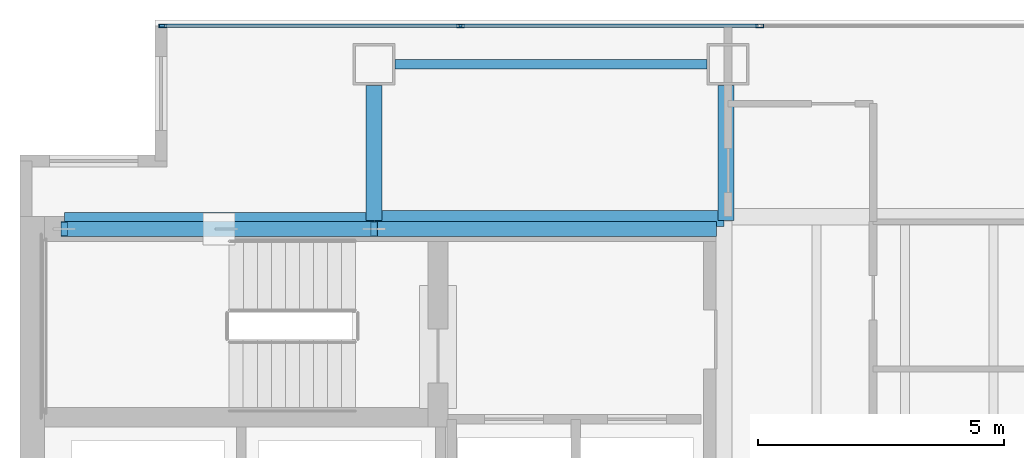
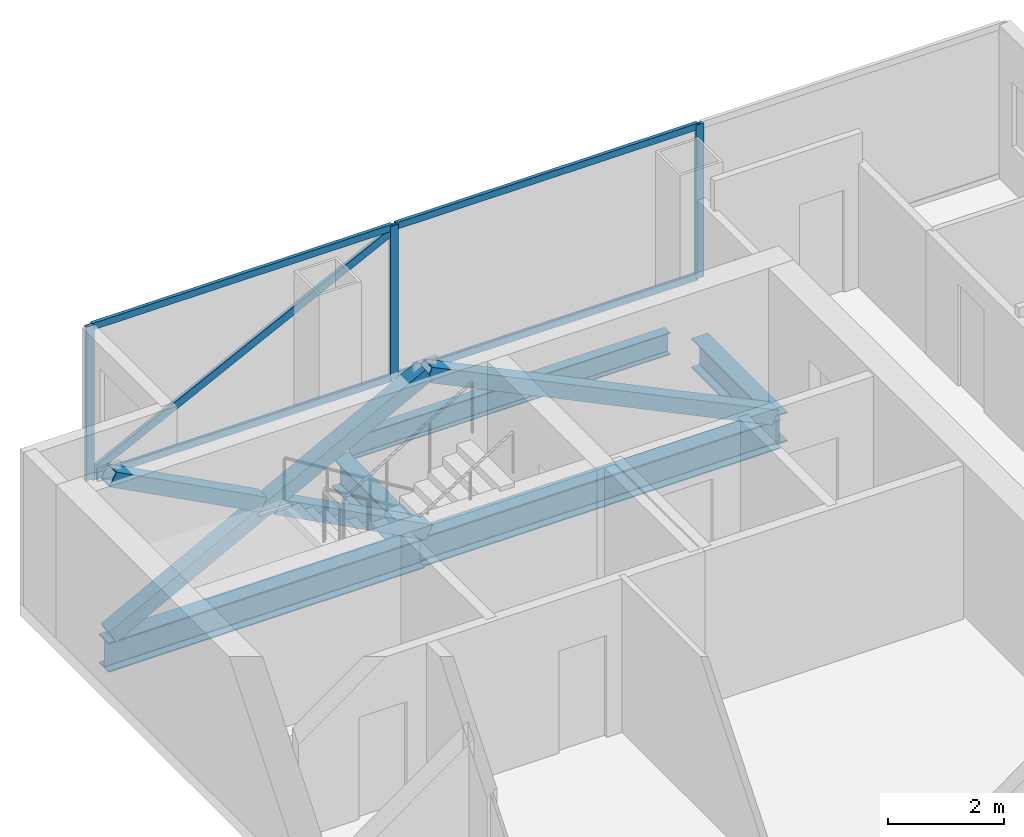
# One storey, part 17 of 23: 12 members, 5 beams, 1 element without a shape of its own.
"""IFC4 building model written with IfcOpenShell, lengths in metres."""

from ifc_helpers import new_model, si_unit, direction, frame, origin, origin_2d, place, context, subcontext, project, spatial, hollow_rectangle, i_section, extrude, material, material_profile, profile_set, type_object, element, aggregate, save


model = new_model("IFC4")

# Units and contexts
model_context = context("Model", 3, precision=1e-05, world=origin(), true_north=direction((0.0, 1.0)))
body_context = subcontext(model_context, "Body", "Model", "MODEL_VIEW")
ifc_project = project(units=[si_unit("LENGTHUNIT", "METRE"), si_unit("AREAUNIT", "SQUARE_METRE"), si_unit("VOLUMEUNIT", "CUBIC_METRE"), si_unit("PLANEANGLEUNIT", "RADIAN"), si_unit("MASSUNIT", "GRAM", prefix="KILO")], contexts=[model_context])

# Site, building, storey
site_placement = place(None, origin())
site = spatial("IfcSite", under=ifc_project, at=site_placement, CompositionType="ELEMENT")
building_placement = place(site_placement, origin())
building = spatial("IfcBuilding", under=site, at=building_placement, Name="Cobrela Telecom Tower", CompositionType="ELEMENT")
storey_placement = place(building_placement, frame((0.0, 0.0, 183.75)))
storey = spatial("IfcBuildingStorey", under=building, at=storey_placement, Name="L46", CompositionType="ELEMENT", Elevation=183.75)

# Beams
ifc_material_1 = material(Name="Steel ASTM A992 Grade 50", Category="steel")
ifc_material_profile_1 = material_profile(ifc_material_1, i_section(OverallWidth=0.327880859375, OverallDepth=0.6220703125, WebThickness=0.015380859375, FlangeThickness=0.0244140625, FilletRadius=0.014892578125, at=origin_2d()), Name="W24X131")
ifc_profile_set_1 = profile_set([ifc_material_profile_1], Name="Steel ASTM A992 Grade 50")
beam_type_1 = type_object("IfcBeamType", Name="BM-GIRD-06", PredefinedType="USERDEFINED", material=ifc_profile_set_1)
beam_1_placement = place(storey_placement, frame((0.905029296875, 35.919921875, -0.571044921875), z_axis=(1.0, 0.0, 0.0), x_axis=(0.0, 1.0, 0.0)))
element("IfcBeam", 1, at=beam_1_placement, inside=storey, type_object=beam_type_1, Name="L46 Primary Girder X20", ObjectType="GIRDER", PredefinedType="USERDEFINED", context=body_context, shape_type="SweptSolid", body=[
    extrude(i_section(OverallWidth=0.327880859375, OverallDepth=0.6220703125, WebThickness=0.015380859375, FlangeThickness=0.0244140625, FilletRadius=0.014892578125, at=origin_2d()), origin(), (0.0, 0.0, 1.0), 6.2900390625),
])
beam_2_placement = place(storey_placement, frame((7.205078125, 35.9599609375, -0.571044921875), z_axis=(1.0, 0.0, 0.0), x_axis=(0.0, 1.0, 0.0)))
element("IfcBeam", 2, at=beam_2_placement, inside=storey, type_object=beam_type_1, Name="L46 Primary Girder X21", ObjectType="GIRDER", PredefinedType="USERDEFINED", context=body_context, shape_type="SweptSolid", body=[
    extrude(i_section(OverallWidth=0.327880859375, OverallDepth=0.6220703125, WebThickness=0.015380859375, FlangeThickness=0.0244140625, FilletRadius=0.014892578125, at=origin_2d()), origin(), (0.0, 0.0, 1.0), 7.10986328125),
])
for number, where, z_axis, x_axis, name in (
    (3, (7.199951171875, 35.925048828125, -0.571044921875), (0.0, 1.0, 0.0), (-1.0, 0.0, 0.0), "L46 Primary Girder Y25"),
    (4, (14.360107421875, 35.925048828125, -0.571044921875), (0.0, 1.0, 0.0), (-1.0, 0.0, 0.0), "L46 Primary Girder Y31"),
):
    element("IfcBeam", number, at=place(storey_placement, frame(where, z_axis=z_axis, x_axis=x_axis)), inside=storey, type_object=beam_type_1, Name=name, ObjectType="GIRDER", PredefinedType="USERDEFINED", context=body_context, shape_type="SweptSolid", body=[
        extrude(i_section(OverallWidth=0.327880859375, OverallDepth=0.6220703125, WebThickness=0.015380859375, FlangeThickness=0.0244140625, FilletRadius=0.014892578125, at=origin_2d()), origin(), (0.0, 0.0, 1.0), 2.744873046875),
    ])
ifc_material_profile_2 = material_profile(ifc_material_1, i_section(OverallWidth=0.193115234375, OverallDepth=0.467041015625, WebThickness=0.011474609375, FlangeThickness=0.01904296875, FilletRadius=0.012939453125, at=origin_2d()), Name="W18X65")
ifc_profile_set_2 = profile_set([ifc_material_profile_2], Name="Steel ASTM A992 Grade 50")
beam_type_2 = type_object("IfcBeamType", Name="BM-SPAND-05", PredefinedType="SPANDREL", material=ifc_profile_set_2)
beam_3_placement = place(storey_placement, frame((7.6298828125, 39.10009765625, -0.493408203125), z_axis=(1.0, 0.0, 0.0), x_axis=(0.0, 1.0, 0.0)))
element("IfcBeam", 5, at=beam_3_placement, inside=storey, type_object=beam_type_2, Name="L46 Perimeter Spandrel X23", PredefinedType="SPANDREL", context=body_context, shape_type="SweptSolid", body=[
    extrude(i_section(OverallWidth=0.193115234375, OverallDepth=0.467041015625, WebThickness=0.011474609375, FlangeThickness=0.01904296875, FilletRadius=0.012939453125, at=origin_2d()), origin(), (0.0, 0.0, 1.0), 6.340087890625),
])

# Curtain wall, members
ifc_material_2 = material(Name="Anodized Bronze Aluminium 6063-T6", Category="aluminium")
curtain_wall_type = type_object("IfcCurtainWallType", Name="CW-SYS-OFF-LO", PredefinedType="USERDEFINED", material=ifc_material_2)
curtain_wall_placement = place(storey_placement, origin())
curtain_wall = element("IfcCurtainWall", 6, at=curtain_wall_placement, inside=storey, type_object=curtain_wall_type, Name="L46 Unitised Bronze Curtain Wall 07", ObjectType="UNITISED CURTAIN WALL", PredefinedType="USERDEFINED")
ifc_material_profile_3 = material_profile(ifc_material_2, hollow_rectangle(XDim=0.070068359375, YDim=0.159912109375, WallThickness=0.00390625, at=origin_2d()), Name="ALU 70x160x4")
ifc_profile_set_3 = profile_set([ifc_material_profile_3], Name="Anodized Bronze Aluminium 6063-T6")
member_type_1 = type_object("IfcMemberType", Name="CW-SYS-OFF-LO-MUL", PredefinedType="MULLION", material=ifc_profile_set_3)
member_1_placement = place(storey_placement, frame((2.905029296875, 39.8798828125, 0.0), z_axis=(0.0, 0.0, 1.0), x_axis=(0.0, 1.0, 0.0)))
member_1 = element("IfcMember", 7, at=member_1_placement, type_object=member_type_1, Name="CW-OFF-LO mullion 1", PredefinedType="MULLION", context=body_context, shape_type="SweptSolid", body=[
    extrude(hollow_rectangle(XDim=0.070068359375, YDim=0.159912109375, WallThickness=0.00390625, at=origin_2d()), origin(), (0.0, 0.0, 1.0), 3.239990234375),
])
member_2_placement = place(storey_placement, frame((8.956787109375, 39.8798828125, 0.0), z_axis=(0.0, 0.0, 1.0), x_axis=(0.0, 1.0, 0.0)))
member_2 = element("IfcMember", 8, at=member_2_placement, type_object=member_type_1, Name="CW-OFF-LO mullion 2", PredefinedType="MULLION", context=body_context, shape_type="SweptSolid", body=[
    extrude(hollow_rectangle(XDim=0.070068359375, YDim=0.159912109375, WallThickness=0.00390625, at=origin_2d()), origin(), (0.0, 0.0, 1.0), 3.239990234375),
])
member_3_placement = place(storey_placement, frame((15.043212890625, 39.8798828125, 0.0), z_axis=(0.0, 0.0, 1.0), x_axis=(0.0, 1.0, 0.0)))
member_3 = element("IfcMember", 9, at=member_3_placement, type_object=member_type_1, Name="CW-OFF-LO mullion 3", PredefinedType="MULLION", context=body_context, shape_type="SweptSolid", body=[
    extrude(hollow_rectangle(XDim=0.070068359375, YDim=0.159912109375, WallThickness=0.00390625, at=origin_2d()), origin(), (0.0, 0.0, 1.0), 3.239990234375),
])
member_4_placement = place(storey_placement, frame((2.8701171875, 39.8798828125, 0.10009765625), z_axis=(0.894635223948, 0.0, 0.446797287448), x_axis=(0.0, 1.0, 0.0)))
member_4 = element("IfcMember", 10, at=member_4_placement, type_object=member_type_1, Name="L46 Faceted Curtain Wall Diagonal Glazing Mullion", PredefinedType="MULLION", context=body_context, shape_type="SweptSolid", body=[
    extrude(hollow_rectangle(XDim=0.070068359375, YDim=0.159912109375, WallThickness=0.00390625, at=origin_2d()), origin(), (0.0, 0.0, 1.0), 6.803466796875),
])
ifc_material_profile_4 = material_profile(ifc_material_2, hollow_rectangle(XDim=0.070068359375, YDim=0.139892578125, WallThickness=0.00390625, at=origin_2d()), Name="ALU 70x140x4")
ifc_profile_set_4 = profile_set([ifc_material_profile_4], Name="Anodized Bronze Aluminium 6063-T6")
member_type_2 = type_object("IfcMemberType", Name="CW-SYS-OFF-LO-TRN", PredefinedType="USERDEFINED", material=ifc_profile_set_4)
member_5_placement = place(storey_placement, frame((2.93994140625, 39.8798828125, 0.034912109375), z_axis=(1.0, 0.0, 0.0), x_axis=(0.0, 1.0, 0.0)))
member_5 = element("IfcMember", 11, at=member_5_placement, type_object=member_type_2, Name="CW-OFF-LO transom 1.1", ObjectType="TRANSOM", PredefinedType="USERDEFINED", context=body_context, shape_type="SweptSolid", body=[
    extrude(hollow_rectangle(XDim=0.070068359375, YDim=0.139892578125, WallThickness=0.00390625, at=origin_2d()), origin(), (0.0, 0.0, 1.0), 5.981689453125),
])
member_6_placement = place(storey_placement, frame((2.93994140625, 39.8798828125, 3.205078125), z_axis=(1.0, 0.0, 0.0), x_axis=(0.0, 1.0, 0.0)))
member_6 = element("IfcMember", 12, at=member_6_placement, type_object=member_type_2, Name="CW-OFF-LO transom 1.2", ObjectType="TRANSOM", PredefinedType="USERDEFINED", context=body_context, shape_type="SweptSolid", body=[
    extrude(hollow_rectangle(XDim=0.070068359375, YDim=0.139892578125, WallThickness=0.00390625, at=origin_2d()), origin(), (0.0, 0.0, 1.0), 5.981689453125),
])
member_7_placement = place(storey_placement, frame((8.99169921875, 39.8798828125, 0.034912109375), z_axis=(1.0, 0.0, 0.0), x_axis=(0.0, 1.0, 0.0)))
member_7 = element("IfcMember", 13, at=member_7_placement, type_object=member_type_2, Name="CW-OFF-LO transom 2.1", ObjectType="TRANSOM", PredefinedType="USERDEFINED", context=body_context, shape_type="SweptSolid", body=[
    extrude(hollow_rectangle(XDim=0.070068359375, YDim=0.139892578125, WallThickness=0.00390625, at=origin_2d()), origin(), (0.0, 0.0, 1.0), 6.0166015625),
])
member_8_placement = place(storey_placement, frame((8.99169921875, 39.8798828125, 3.205078125), z_axis=(1.0, 0.0, 0.0), x_axis=(0.0, 1.0, 0.0)))
member_8 = element("IfcMember", 14, at=member_8_placement, type_object=member_type_2, Name="CW-OFF-LO transom 2.2", ObjectType="TRANSOM", PredefinedType="USERDEFINED", context=body_context, shape_type="SweptSolid", body=[
    extrude(hollow_rectangle(XDim=0.070068359375, YDim=0.139892578125, WallThickness=0.00390625, at=origin_2d()), origin(), (0.0, 0.0, 1.0), 6.0166015625),
])
aggregate(curtain_wall, [member_1, member_2, member_3, member_5, member_6, member_7, member_8, member_4])

# Members
ifc_material_3 = material(Name="Steel ASTM A572 Grade 50", Category="steel")
ifc_material_profile_5 = material_profile(ifc_material_3, hollow_rectangle(XDim=0.300048828125, YDim=0.300048828125, WallThickness=0.01611328125, at=origin_2d()), Name="HSS 300x300x16")
ifc_profile_set_5 = profile_set([ifc_material_profile_5], Name="Steel ASTM A572 Grade 50")
member_type_3 = type_object("IfcMemberType", Name="MBR-EXO-03", PredefinedType="BRACE", material=ifc_profile_set_5)
member_9_placement = place(storey_placement, frame((0.89990234375, 35.75, -0.0400390625), z_axis=(0.884671945606, 0.0, 0.466214058837), x_axis=(0.0, 1.0, 0.0)))
element("IfcMember", 15, at=member_9_placement, inside=storey, type_object=member_type_3, Name="L46 Core Flange Steel X-Brace Continuous A", PredefinedType="BRACE", context=body_context, shape_type="SweptSolid", body=[
    extrude(hollow_rectangle(XDim=0.300048828125, YDim=0.300048828125, WallThickness=0.01611328125, at=origin_2d()), origin(), (0.0, 0.0, 1.0), 7.121337890625),
])
for number, where, z_axis, x_axis, name in (
    (16, (7.199951171875, 35.75, -0.0400390625), (-0.884666782579, 0.0, 0.466223855891), (0.0, -1.0, 0.0), "L46 Core Flange Steel X-Brace Split B1"),
    (17, (3.9013671875, 35.75, 1.6982421875), (-0.884666782579, 0.0, 0.466223855891), (0.0, -1.0, 0.0), "L46 Core Flange Steel X-Brace Split B2"),
):
    element("IfcMember", number, at=place(storey_placement, frame(where, z_axis=z_axis, x_axis=x_axis)), inside=storey, type_object=member_type_3, Name=name, PredefinedType="BRACE", context=body_context, shape_type="SweptSolid", body=[
        extrude(hollow_rectangle(XDim=0.300048828125, YDim=0.300048828125, WallThickness=0.01611328125, at=origin_2d()), origin(), (0.0, 0.0, 1.0), 3.392822265625),
    ])
member_10_placement = place(storey_placement, frame((14.10009765625, 35.75, -0.0400390625), z_axis=(-0.901115182893, 0.0, 0.43357978177), x_axis=(0.0, -1.0, 0.0)))
element("IfcMember", 18, at=member_10_placement, inside=storey, type_object=member_type_3, Name="L46 Core Flange Steel Brace N2", PredefinedType="BRACE", context=body_context, shape_type="SweptSolid", body=[
    extrude(hollow_rectangle(XDim=0.300048828125, YDim=0.300048828125, WallThickness=0.01611328125, at=origin_2d()), origin(), (0.0, 0.0, 1.0), 7.6572265625),
])

save(model, "model.ifc")
